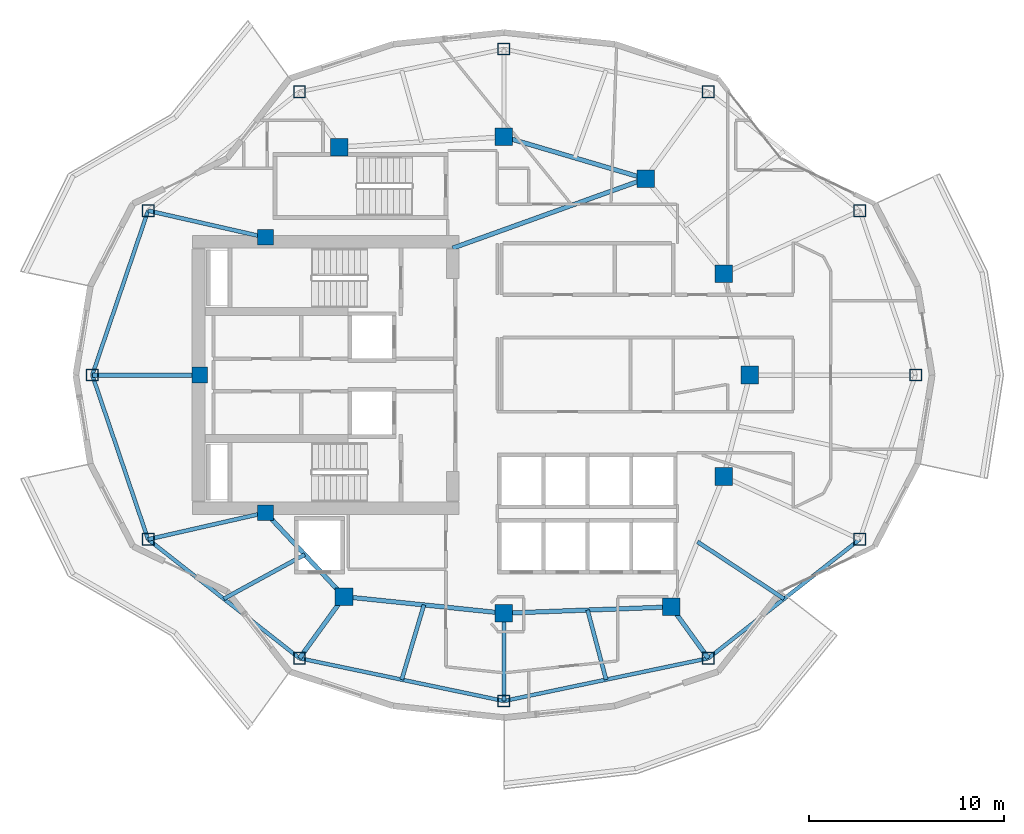
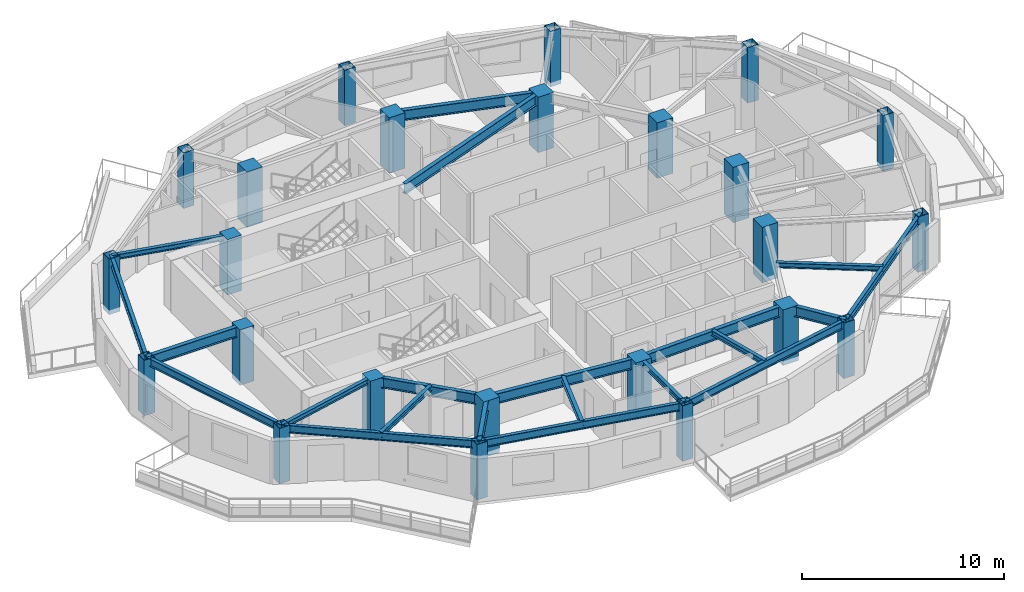
# One storey, part 1 of 13: 24 columns, 21 beams.
"""IFC4 building model written with IfcOpenShell, lengths in metres."""

import ifcopenshell
import ifcopenshell.guid

model = None  # the IFC model being written
_history = None  # IfcOwnerHistory: only IFC2X3 demands one
_inside = {}  # id of a spatial element -> (the spatial element, [elements in it])
_under = {}  # id of a project, library or spatial element -> (it, [spatial elements below it])
_declared = {}  # id of a project -> (the project, [libraries it declares])
_typed = {}  # id of a type object -> (the type object, [elements of that type])
_made_of = {}  # id of a material, layer set ... -> (it, [elements and type objects made of it])


def new_model(schema):
    """Start an empty IFC model of exactly this schema.

    Asked for "IFC4X3", IfcOpenShell would pick the latest addendum, in which some entities
    have other attributes; the version numbers below select the first issue.
    IFC2X3 requires an IfcOwnerHistory on every rooted entity: one is made here for all.
    """
    global model, _history
    if schema == "IFC4X3":
        model = ifcopenshell.file(schema_version=(4, 3, 0, 0))
    else:
        model = ifcopenshell.file(schema=schema)
    _inside.clear()
    _under.clear()
    _declared.clear()
    _typed.clear()
    _made_of.clear()
    _history = None
    if model.schema == "IFC2X3":
        org = make("IfcOrganization", Name="unknown")
        user = make(
            "IfcPersonAndOrganization",
            ThePerson=make("IfcPerson", FamilyName="unknown"),
            TheOrganization=org,
        )
        app = make(
            "IfcApplication",
            ApplicationDeveloper=org,
            Version="unknown",
            ApplicationFullName="unknown",
            ApplicationIdentifier="unknown",
        )
        _history = make(
            "IfcOwnerHistory",
            OwningUser=user,
            OwningApplication=app,
            ChangeAction="ADDED",
            CreationDate=0,
        )
    return model


def make(cls, **values):
    """One entity of the class cls with the attributes given. An attribute that is None is left unset."""
    return model.create_entity(
        cls, **{name: value for name, value in values.items() if value is not None}
    )


def rooted(cls, **values):
    """An entity with a GlobalId (a new one), such as an element, a storey or a relation."""
    return make(cls, GlobalId=ifcopenshell.guid.new(), OwnerHistory=_history, **values)


def si_unit(unit_type, name, prefix=None):
    """IfcSIUnit, for example si_unit("LENGTHUNIT", "METRE", prefix="MILLI")."""
    return make("IfcSIUnit", UnitType=unit_type, Prefix=prefix, Name=name)


def assignment(units):
    """IfcUnitAssignment: the units of a project."""
    return None if units is None else make("IfcUnitAssignment", Units=units)


def point(xyz):
    """IfcCartesianPoint."""
    return None if xyz is None else make("IfcCartesianPoint", Coordinates=xyz)


def direction(xyz):
    """IfcDirection."""
    return None if xyz is None else make("IfcDirection", DirectionRatios=xyz)


def frame(location, z_axis=None, x_axis=None):
    """IfcAxis2Placement3D, a coordinate frame: its origin and axes. An axis left out is left unset."""
    return make(
        "IfcAxis2Placement3D",
        Location=point(location),
        Axis=direction(z_axis),
        RefDirection=direction(x_axis),
    )


def frame_2d(location, x_axis=None):
    """IfcAxis2Placement2D, a coordinate frame in the plane: its origin and x axis."""
    return make(
        "IfcAxis2Placement2D", Location=point(location), RefDirection=direction(x_axis)
    )


def origin():
    """The frame at (0, 0, 0) with its axes left unset."""
    return frame((0.0, 0.0, 0.0))


def origin_2d():
    """The frame at (0, 0) in the plane with its x axis left unset."""
    return frame_2d((0.0, 0.0))


def place(relative_to, where):
    """IfcLocalPlacement: puts the frame where relative to a parent placement (None: the world)."""
    return make(
        "IfcLocalPlacement", PlacementRelTo=relative_to, RelativePlacement=where
    )


def context(
    kind, dimensions, precision=None, world=None, true_north=None, identifier=None
):
    """IfcGeometricRepresentationContext, for example the 3D "Model" context."""
    return make(
        "IfcGeometricRepresentationContext",
        ContextIdentifier=identifier,
        ContextType=kind,
        CoordinateSpaceDimension=dimensions,
        Precision=precision,
        WorldCoordinateSystem=world,
        TrueNorth=true_north,
    )


def subcontext(parent, identifier, kind, view, scale=None):
    """IfcGeometricRepresentationSubContext, for example "Body" below "Model"."""
    return make(
        "IfcGeometricRepresentationSubContext",
        ContextIdentifier=identifier,
        ContextType=kind,
        ParentContext=parent,
        TargetScale=scale,
        TargetView=view,
    )


def project(units=None, contexts=None):
    """IfcProject with its units and contexts."""
    return rooted(
        "IfcProject",
        Name="project",
        RepresentationContexts=contexts,
        UnitsInContext=assignment(units),
    )


def spatial(cls, under=None, at=None, **own):
    """A site, building, storey or space (cls), placed at a placement, below another one or the project."""
    s = rooted(cls, ObjectPlacement=at, **own)
    if under is not None:
        _under.setdefault(under.id(), (under, []))[1].append(s)
    return s


def profile(cls, at=None, kind="AREA", **sizes):
    """A parametric profile (cls). Its sizes go by their IFC names, for example OverallWidth=200.0."""
    return make(cls, ProfileType=kind, Position=at, **sizes)


def rectangle(**sizes):
    """IfcRectangleProfileDef."""
    return profile("IfcRectangleProfileDef", **sizes)


def hollow_rectangle(**sizes):
    """IfcRectangleHollowProfileDef."""
    return profile("IfcRectangleHollowProfileDef", **sizes)


def i_section(**sizes):
    """IfcIShapeProfileDef."""
    return profile("IfcIShapeProfileDef", **sizes)


def extrude(swept, where, along, depth):
    """IfcExtrudedAreaSolid: the profile swept, set in the frame where, extruded along a direction by depth."""
    return make(
        "IfcExtrudedAreaSolid",
        SweptArea=swept,
        Position=where,
        ExtrudedDirection=direction(along),
        Depth=depth,
    )


def shape(context_of_items, identifier, shape_type, items):
    """IfcShapeRepresentation: the items that make up one representation, for example the "Body"."""
    return make(
        "IfcShapeRepresentation",
        ContextOfItems=context_of_items,
        RepresentationIdentifier=identifier,
        RepresentationType=shape_type,
        Items=items,
    )


def material(Name=None, Category=None):
    """IfcMaterial."""
    return make("IfcMaterial", Name=Name, Category=Category)


def material_profile(
    of_material, cross_section, Name=None, Category=None, Priority=None
):
    """IfcMaterialProfile: a cross section and its material."""
    return make(
        "IfcMaterialProfile",
        Name=Name,
        Material=of_material,
        Profile=cross_section,
        Priority=Priority,
        Category=Category,
    )


def profile_set(profiles, Name=None, composite=None):
    """IfcMaterialProfileSet."""
    return make(
        "IfcMaterialProfileSet",
        Name=Name,
        MaterialProfiles=profiles,
        CompositeProfile=composite,
    )


def made_of(thing, what):
    """Note that an element or type object is made of a material, layer set ...; save() writes the relation."""
    if what is not None:
        _made_of.setdefault(what.id(), (what, []))[1].append(thing)
    return thing


def type_object(cls, material=None, **own):
    """A type object (cls), such as IfcWallType, which elements share."""
    return made_of(rooted(cls, **own), material)


def element(
    cls,
    number,
    at=None,
    inside=None,
    cuts=None,
    type_object=None,
    material=None,
    context=None,
    identifier="Body",
    shape_type=None,
    held_by="IfcProductDefinitionShape",
    body=None,
    shapes=None,
    **own,
):
    """One element of the class cls, such as IfcWall. Its Tag is "e" and its number.

    at: its placement. inside: the storey or other place that contains it. cuts: it is an
    opening in that element (IfcRelVoidsElement). A single representation is given by context,
    identifier, shape_type and body (its items); several are given by shapes. held_by: the class
    of the entity that holds the representations. save() writes the other relations.
    """
    e = rooted(cls, Tag="e%d" % number, ObjectPlacement=at, **own)
    if body is not None:
        shapes = [shape(context, identifier, shape_type, body)]
    if shapes is not None:
        e.Representation = make(held_by, Representations=shapes)
    if inside is not None:
        _inside.setdefault(inside.id(), (inside, []))[1].append(e)
    if cuts is not None:
        rooted(
            "IfcRelVoidsElement", RelatingBuildingElement=cuts, RelatedOpeningElement=e
        )
    if type_object is not None:
        _typed.setdefault(type_object.id(), (type_object, []))[1].append(e)
    return made_of(e, material)


def aggregate(whole, parts):
    """IfcRelAggregates: a whole, such as a stair, and the parts it consists of."""
    return rooted("IfcRelAggregates", RelatingObject=whole, RelatedObjects=parts)


def save(model, path):
    """Write the relations noted so far, then the file.

    IfcRelAggregates (storeys below a building ...), IfcRelContainedInSpatialStructure (elements
    in a storey), IfcRelDefinesByType, IfcRelAssociatesMaterial and IfcRelDeclares: one each for
    every whole, place, type object, material and project.
    """
    for whole, parts in _under.values():
        aggregate(whole, parts)
    for where, things in _inside.values():
        rooted(
            "IfcRelContainedInSpatialStructure",
            RelatedElements=things,
            RelatingStructure=where,
        )
    for kind, things in _typed.values():
        rooted("IfcRelDefinesByType", RelatedObjects=things, RelatingType=kind)
    for what, things in _made_of.values():
        rooted("IfcRelAssociatesMaterial", RelatedObjects=things, RelatingMaterial=what)
    for by, libraries in _declared.values():
        rooted("IfcRelDeclares", RelatingContext=by, RelatedDefinitions=libraries)
    model.write(path)


model = new_model("IFC4")

# Units and contexts
model_context = context("Model", 3, precision=1e-05, world=origin(), true_north=direction((0.0, 1.0)))
body_context = subcontext(model_context, "Body", "Model", "MODEL_VIEW")
ifc_project = project(units=[si_unit("LENGTHUNIT", "METRE"), si_unit("AREAUNIT", "SQUARE_METRE"), si_unit("VOLUMEUNIT", "CUBIC_METRE"), si_unit("PLANEANGLEUNIT", "RADIAN"), si_unit("MASSUNIT", "GRAM", prefix="KILO")], contexts=[model_context])

# Site, building, storey
site_placement = place(None, origin())
site = spatial("IfcSite", under=ifc_project, at=site_placement, CompositionType="ELEMENT")
building_placement = place(site_placement, origin())
building = spatial("IfcBuilding", under=site, at=building_placement, Name="Kolvaren Gate Tower and Convention Centre", CompositionType="ELEMENT")
storey_placement = place(building_placement, frame((0.0, 0.0, 183.5)))
storey = spatial("IfcBuildingStorey", under=building, at=storey_placement, Name="L48", CompositionType="ELEMENT", Elevation=183.5)

# Columns
ifc_material_1 = material(Name="Structural steel ASTM A1085 Grade A 345 MPa", Category="steel")
ifc_material_profile_1 = material_profile(ifc_material_1, hollow_rectangle(XDim=0.610107421875, YDim=0.610107421875, WallThickness=0.025390625, at=origin_2d()), Name="HSS610X610X25.4")
ifc_profile_set_1 = profile_set([ifc_material_profile_1], Name="Structural steel ASTM A1085 Grade A 345 MPa")
column_type_1 = type_object("IfcColumnType", Name="STR-COL-HSS610", PredefinedType="COLUMN", material=ifc_profile_set_1)
for number, where, z_axis, x_axis, name in (
    (1, (51.21240234375, 27.0, -0.27001953125), (0.0, 0.0, 1.0), (1.0, 0.0, 0.0), "Tower L48 Perimeter Supercolumn TP-01"),
    (2, (48.351806640625, 35.418701171875, -0.27001953125), (0.0, 0.0, 1.0), (1.0, 0.0, 0.0), "Tower L48 Perimeter Supercolumn TP-02"),
    (3, (40.596435546875, 41.509521484375, -0.27001953125), (0.0, 0.0, 1.0), (1.0, 0.0, 0.0), "Tower L48 Perimeter Supercolumn TP-03"),
    (4, (30.125, 43.699951171875, -0.27001953125), (0.0, 0.0, 1.0), (1.0, 0.0, 0.0), "Tower L48 Perimeter Supercolumn TP-04"),
    (5, (19.65380859375, 41.509521484375, -0.27001953125), (0.0, 0.0, 1.0), (1.0, 0.0, 0.0), "Tower L48 Perimeter Supercolumn TP-05"),
    (6, (11.898193359375, 35.418701171875, -0.27001953125), (0.0, 0.0, 1.0), (1.0, 0.0, 0.0), "Tower L48 Perimeter Supercolumn TP-06"),
    (7, (9.03759765625, 27.0, -0.27001953125), (0.0, 0.0, 1.0), (1.0, 0.0, 0.0), "Tower L48 Perimeter Supercolumn TP-07"),
    (8, (11.898193359375, 18.581298828125, -0.27001953125), (0.0, 0.0, 1.0), (1.0, 0.0, 0.0), "Tower L48 Perimeter Supercolumn TP-08"),
    (9, (19.653564453125, 12.490478515625, -0.27001953125), (0.0, 0.0, 1.0), (1.0, 0.0, 0.0), "Tower L48 Perimeter Supercolumn TP-09"),
    (10, (30.125, 10.300048828125, -0.27001953125), (0.0, 0.0, 1.0), (1.0, 0.0, 0.0), "Tower L48 Perimeter Supercolumn TP-10"),
    (11, (40.596435546875, 12.490478515625, -0.27001953125), (0.0, 0.0, 1.0), (1.0, 0.0, 0.0), "Tower L48 Perimeter Supercolumn TP-11"),
    (12, (48.351806640625, 18.581298828125, -0.27001953125), (0.0, 0.0, 1.0), (1.0, 0.0, 0.0), "Tower L48 Perimeter Supercolumn TP-12"),
):
    element("IfcColumn", number, at=place(storey_placement, frame(where, z_axis=z_axis, x_axis=x_axis)), inside=storey, type_object=column_type_1, Name=name, PredefinedType="COLUMN", context=body_context, shape_type="SweptSolid", body=[
        extrude(hollow_rectangle(XDim=0.610107421875, YDim=0.610107421875, WallThickness=0.025390625, at=origin_2d()), origin(), (0.0, 0.0, 1.0), 3.35009765625),
    ])
ifc_material_2 = material(Name="Concrete C60/75", Category="concrete")
ifc_material_profile_2 = material_profile(ifc_material_2, rectangle(XDim=0.89990234375, YDim=0.89990234375, at=origin_2d()), Name="RC-COL-900X900")
ifc_profile_set_2 = profile_set([ifc_material_profile_2], Name="Concrete C60/75")
column_type_2 = type_object("IfcColumnType", Name="STR-COL-RC900", PredefinedType="COLUMN", material=ifc_profile_set_2)
for number, where, z_axis, x_axis, name in (
    (13, (42.72509765625, 27.0, -0.27001953125), (0.0, 0.0, 1.0), (1.0, 0.0, 0.0), "Tower L48 Interior Column TI-01"),
    (14, (41.382080078125, 32.199462890625, -0.27001953125), (0.0, 0.0, 1.0), (1.0, 0.0, 0.0), "Tower L48 Interior Column TI-02"),
    (15, (37.381591796875, 37.054931640625, -0.27001953125), (0.0, 0.0, 1.0), (1.0, 0.0, 0.0), "Tower L48 Interior Column TI-03"),
    (16, (30.125, 39.199951171875, -0.27001953125), (0.0, 0.0, 1.0), (1.0, 0.0, 0.0), "Tower L48 Interior Column TI-04"),
    (17, (21.697998046875, 38.6767578125, -0.27001953125), (0.0, 0.0, 1.0), (1.0, 0.0, 0.0), "Tower L48 Interior Column TI-05"),
    (18, (21.93212890625, 15.647705078125, -0.27001953125), (0.0, 0.0, 1.0), (1.0, 0.0, 0.0), "Tower L48 Interior Column TI-06"),
    (19, (30.125, 14.800048828125, -0.27001953125), (0.0, 0.0, 1.0), (1.0, 0.0, 0.0), "Tower L48 Interior Column TI-07"),
    (20, (38.6982421875, 15.12060546875, -0.27001953125), (0.0, 0.0, 1.0), (1.0, 0.0, 0.0), "Tower L48 Interior Column TI-08"),
    (21, (41.382080078125, 21.800537109375, -0.27001953125), (0.0, 0.0, 1.0), (1.0, 0.0, 0.0), "Tower L48 Interior Column TI-09"),
):
    element("IfcColumn", number, at=place(storey_placement, frame(where, z_axis=z_axis, x_axis=x_axis)), inside=storey, type_object=column_type_2, Name=name, PredefinedType="COLUMN", context=body_context, shape_type="SweptSolid", body=[
        extrude(rectangle(XDim=0.89990234375, YDim=0.89990234375, at=origin_2d()), origin(), (0.0, 0.0, 1.0), 3.35009765625),
    ])
ifc_material_profile_3 = material_profile(ifc_material_2, rectangle(XDim=0.800048828125, YDim=0.800048828125, at=origin_2d()), Name="RC-COL-800X800")
ifc_profile_set_3 = profile_set([ifc_material_profile_3], Name="Concrete C60/75")
column_type_3 = type_object("IfcColumnType", Name="STR-PIL-RC800", PredefinedType="PILASTER", material=ifc_profile_set_3)
for number, where, z_axis, x_axis, name in (
    (22, (17.9140625, 34.050048828125, -0.27001953125), (0.0, 0.0, 1.0), (1.0, 0.0, 0.0), "Tower L48 Core Boundary Pilaster TC-05"),
    (23, (14.550048828125, 27.0, -0.27001953125), (0.0, 0.0, 1.0), (1.0, 0.0, 0.0), "Tower L48 Core Boundary Pilaster TC-06"),
    (24, (17.9140625, 19.949951171875, -0.27001953125), (0.0, 0.0, 1.0), (1.0, 0.0, 0.0), "Tower L48 Core Boundary Pilaster TC-07"),
):
    element("IfcColumn", number, at=place(storey_placement, frame(where, z_axis=z_axis, x_axis=x_axis)), inside=storey, type_object=column_type_3, Name=name, PredefinedType="PILASTER", context=body_context, shape_type="SweptSolid", body=[
        extrude(rectangle(XDim=0.800048828125, YDim=0.800048828125, at=origin_2d()), origin(), (0.0, 0.0, 1.0), 3.35009765625),
    ])

# Beams
ifc_material_3 = material(Name="Structural steel ASTM A992 Grade 345 MPa", Category="steel")
ifc_material_profile_4 = material_profile(ifc_material_3, i_section(OverallWidth=0.22998046875, OverallDepth=0.616943359375, WebThickness=0.01318359375, FlangeThickness=0.022216796875, at=origin_2d()), Name="W610X140")
ifc_profile_set_4 = profile_set([ifc_material_profile_4], Name="Structural steel ASTM A992 Grade 345 MPa")
beam_type_1 = type_object("IfcBeamType", Name="STR-BM-W610X140", PredefinedType="BEAM", material=ifc_profile_set_4)
beam_1_placement = place(storey_placement, frame((37.381591796875, 37.054931640625, 2.771484375), z_axis=(-0.958980837827, 0.283470902706, 0.0), x_axis=(-0.283470902706, -0.958980837827, 0.0)))
element("IfcBeam", 25, at=beam_1_placement, inside=storey, type_object=beam_type_1, Name="Tower L48 Primary Ring Girder G-03", PredefinedType="BEAM", context=body_context, shape_type="SweptSolid", body=[
    extrude(i_section(OverallWidth=0.22998046875, OverallDepth=0.616943359375, WebThickness=0.01318359375, FlangeThickness=0.022216796875, at=origin_2d()), origin(), (0.0, 0.0, 1.0), 7.56689453125),
])
beam_2_placement = place(storey_placement, frame((17.9140625, 19.949951171875, 2.771484375), z_axis=(0.682557592987, -0.730831808459, 0.0), x_axis=(0.730831808459, 0.682557592987, 0.0)))
element("IfcBeam", 26, at=beam_2_placement, inside=storey, type_object=beam_type_1, Name="Tower L48 Primary Ring Girder G-06", PredefinedType="BEAM", context=body_context, shape_type="SweptSolid", body=[
    extrude(i_section(OverallWidth=0.22998046875, OverallDepth=0.616943359375, WebThickness=0.01318359375, FlangeThickness=0.022216796875, at=origin_2d()), origin(), (0.0, 0.0, 1.0), 5.88671875),
])
beam_3_placement = place(storey_placement, frame((21.93212890625, 15.647705078125, 2.771484375), z_axis=(0.994690329115, -0.102913308978, 0.0), x_axis=(0.102913308978, 0.994690329115, 0.0)))
element("IfcBeam", 27, at=beam_3_placement, inside=storey, type_object=beam_type_1, Name="Tower L48 Primary Ring Girder G-07", PredefinedType="BEAM", context=body_context, shape_type="SweptSolid", body=[
    extrude(i_section(OverallWidth=0.22998046875, OverallDepth=0.616943359375, WebThickness=0.01318359375, FlangeThickness=0.022216796875, at=origin_2d()), origin(), (0.0, 0.0, 1.0), 8.236572265625),
])
beam_4_placement = place(storey_placement, frame((30.125, 14.800048828125, 2.771484375), z_axis=(0.999301712453, 0.037364254142, 0.0), x_axis=(-0.037364254142, 0.999301712453, 0.0)))
element("IfcBeam", 28, at=beam_4_placement, inside=storey, type_object=beam_type_1, Name="Tower L48 Primary Ring Girder G-08", PredefinedType="BEAM", context=body_context, shape_type="SweptSolid", body=[
    extrude(i_section(OverallWidth=0.22998046875, OverallDepth=0.616943359375, WebThickness=0.01318359375, FlangeThickness=0.022216796875, at=origin_2d()), origin(), (0.0, 0.0, 1.0), 8.579345703125),
])
beam_5_placement = place(storey_placement, frame((27.5, 33.5, 2.771484375), z_axis=(0.940961479908, 0.338513653093, 0.0), x_axis=(-0.338513653093, 0.940961479908, 0.0)))
element("IfcBeam", 29, at=beam_5_placement, inside=storey, type_object=beam_type_1, Name="Tower L48 Primary Ring Girder G-10", PredefinedType="BEAM", context=body_context, shape_type="SweptSolid", body=[
    extrude(i_section(OverallWidth=0.22998046875, OverallDepth=0.616943359375, WebThickness=0.01318359375, FlangeThickness=0.022216796875, at=origin_2d()), origin(), (0.0, 0.0, 1.0), 10.501708984375),
])
beam_6_placement = place(storey_placement, frame((14.550048828125, 27.0, 2.771484375), z_axis=(-1.0, 0.0, 0.0), x_axis=(0.0, -1.0, 0.0)))
element("IfcBeam", 30, at=beam_6_placement, inside=storey, type_object=beam_type_1, Name="Tower L48 Radial Floor Girder RB-07", PredefinedType="BEAM", context=body_context, shape_type="SweptSolid", body=[
    extrude(i_section(OverallWidth=0.22998046875, OverallDepth=0.616943359375, WebThickness=0.01318359375, FlangeThickness=0.022216796875, at=origin_2d()), origin(), (0.0, 0.0, 1.0), 5.512451171875),
])
beam_7_placement = place(storey_placement, frame((21.93212890625, 15.647705078125, 2.771484375), z_axis=(-0.585211215329, -0.810880899672, 0.0), x_axis=(0.810880899672, -0.585211215329, 0.0)))
element("IfcBeam", 31, at=beam_7_placement, inside=storey, type_object=beam_type_1, Name="Tower L48 Radial Floor Girder RB-09", PredefinedType="BEAM", context=body_context, shape_type="SweptSolid", body=[
    extrude(i_section(OverallWidth=0.22998046875, OverallDepth=0.616943359375, WebThickness=0.01318359375, FlangeThickness=0.022216796875, at=origin_2d()), origin(), (0.0, 0.0, 1.0), 3.8935546875),
])
beam_8_placement = place(storey_placement, frame((38.6982421875, 15.12060546875, 2.771484375), z_axis=(0.58521845229, -0.810875676722, 0.0), x_axis=(0.810875676722, 0.58521845229, 0.0)))
element("IfcBeam", 32, at=beam_8_placement, inside=storey, type_object=beam_type_1, Name="Tower L48 Radial Floor Girder RB-11", PredefinedType="BEAM", context=body_context, shape_type="SweptSolid", body=[
    extrude(i_section(OverallWidth=0.22998046875, OverallDepth=0.616943359375, WebThickness=0.01318359375, FlangeThickness=0.022216796875, at=origin_2d()), origin(), (0.0, 0.0, 1.0), 3.24365234375),
])
ifc_material_profile_5 = material_profile(ifc_material_3, i_section(OverallWidth=0.205078125, OverallDepth=0.31005859375, WebThickness=0.009521484375, FlangeThickness=0.016357421875, at=origin_2d()), Name="W310X74")
ifc_profile_set_5 = profile_set([ifc_material_profile_5], Name="Structural steel ASTM A992 Grade 345 MPa")
beam_type_2 = type_object("IfcBeamType", Name="STR-JS-W310X74", PredefinedType="JOIST", material=ifc_profile_set_5)
for number, where, z_axis, x_axis, name in (
    (33, (17.9140625, 34.050048828125, 2.925048828125), (-0.975083464295, 0.221838314226, 0.0), (-0.221838314226, -0.975083464295, 0.0), "Tower L48 Radial Floor Girder RB-06"),
    (34, (17.9140625, 19.949951171875, 2.925048828125), (-0.975083464295, -0.221838314226, 0.0), (0.221838314226, -0.975083464295, 0.0), "Tower L48 Radial Floor Girder RB-08"),
):
    element("IfcBeam", number, at=place(storey_placement, frame(where, z_axis=z_axis, x_axis=x_axis)), inside=storey, type_object=beam_type_2, Name=name, PredefinedType="JOIST", context=body_context, shape_type="SweptSolid", body=[
        extrude(i_section(OverallWidth=0.205078125, OverallDepth=0.31005859375, WebThickness=0.009521484375, FlangeThickness=0.016357421875, at=origin_2d()), origin(), (0.0, 0.0, 1.0), 6.169677734375),
    ])
beam_9_placement = place(storey_placement, frame((30.125, 14.800048828125, 2.925048828125), z_axis=(0.0, -1.0, 0.0), x_axis=(1.0, 0.0, 0.0)))
element("IfcBeam", 35, at=beam_9_placement, inside=storey, type_object=beam_type_2, Name="Tower L48 Radial Floor Girder RB-10", PredefinedType="JOIST", context=body_context, shape_type="SweptSolid", body=[
    extrude(i_section(OverallWidth=0.205078125, OverallDepth=0.31005859375, WebThickness=0.009521484375, FlangeThickness=0.016357421875, at=origin_2d()), origin(), (0.0, 0.0, 1.0), 4.5),
])
beam_10_placement = place(storey_placement, frame((19.923095703125, 17.798828125, 2.925048828125), z_axis=(-0.877822491981, -0.478986088078, 0.0), x_axis=(0.478986088078, -0.877822491981, 0.0)))
element("IfcBeam", 36, at=beam_10_placement, inside=storey, type_object=beam_type_2, Name="Tower L48 Secondary Composite Floor Joist J-08.1", PredefinedType="JOIST", context=body_context, shape_type="SweptSolid", body=[
    extrude(i_section(OverallWidth=0.205078125, OverallDepth=0.31005859375, WebThickness=0.009521484375, FlangeThickness=0.016357421875, at=origin_2d()), origin(), (0.0, 0.0, 1.0), 4.724365234375),
])
beam_11_placement = place(storey_placement, frame((26.028564453125, 15.223876953125, 2.925048828125), z_axis=(-0.28518274301, -0.958473162425, 0.0), x_axis=(0.958473162425, -0.28518274301, 0.0)))
element("IfcBeam", 37, at=beam_11_placement, inside=storey, type_object=beam_type_2, Name="Tower L48 Secondary Composite Floor Joist J-09.1", PredefinedType="JOIST", context=body_context, shape_type="SweptSolid", body=[
    extrude(i_section(OverallWidth=0.205078125, OverallDepth=0.31005859375, WebThickness=0.009521484375, FlangeThickness=0.016357421875, at=origin_2d()), origin(), (0.0, 0.0, 1.0), 3.994384765625),
])
beam_12_placement = place(storey_placement, frame((34.41162109375, 14.960205078125, 2.925048828125), z_axis=(0.257238365181, -0.966347982602, 0.0), x_axis=(0.966347982602, 0.257238365181, 0.0)))
element("IfcBeam", 38, at=beam_12_placement, inside=storey, type_object=beam_type_2, Name="Tower L48 Secondary Composite Floor Joist J-10.1", PredefinedType="JOIST", context=body_context, shape_type="SweptSolid", body=[
    extrude(i_section(OverallWidth=0.205078125, OverallDepth=0.31005859375, WebThickness=0.009521484375, FlangeThickness=0.016357421875, at=origin_2d()), origin(), (0.0, 0.0, 1.0), 3.68896484375),
])
beam_13_placement = place(storey_placement, frame((40.040283203125, 18.46044921875, 2.925048828125), z_axis=(0.834762790112, -0.550609738602, 0.0), x_axis=(0.550609738602, 0.834762790112, 0.0)))
element("IfcBeam", 39, at=beam_13_placement, inside=storey, type_object=beam_type_2, Name="Tower L48 Secondary Composite Floor Joist J-11.1", PredefinedType="JOIST", context=body_context, shape_type="SweptSolid", body=[
    extrude(i_section(OverallWidth=0.205078125, OverallDepth=0.31005859375, WebThickness=0.009521484375, FlangeThickness=0.016357421875, at=origin_2d()), origin(), (0.0, 0.0, 1.0), 5.3115234375),
])
ifc_material_profile_6 = material_profile(ifc_material_3, i_section(OverallWidth=0.194091796875, OverallDepth=0.468994140625, WebThickness=0.0126953125, FlangeThickness=0.0205078125, at=origin_2d()), Name="W460X106")
ifc_profile_set_6 = profile_set([ifc_material_profile_6], Name="Structural steel ASTM A992 Grade 345 MPa")
beam_type_3 = type_object("IfcBeamType", Name="STR-SP-W460X106", PredefinedType="SPANDREL", material=ifc_profile_set_6)
for number, where, z_axis, x_axis, name in (
    (40, (11.898193359375, 35.418701171875, 2.845458984375), (-0.321725023609, -0.946833147489, 0.0), (0.946833147489, -0.321725023609, 0.0), "Tower L48 Perimeter Spandrel Beam SP-06"),
    (41, (9.03759765625, 27.0, 2.845458984375), (0.321725023609, -0.946833147489, 0.0), (0.946833147489, 0.321725023609, 0.0), "Tower L48 Perimeter Spandrel Beam SP-07"),
):
    element("IfcBeam", number, at=place(storey_placement, frame(where, z_axis=z_axis, x_axis=x_axis)), inside=storey, type_object=beam_type_3, Name=name, PredefinedType="SPANDREL", context=body_context, shape_type="SweptSolid", body=[
        extrude(i_section(OverallWidth=0.194091796875, OverallDepth=0.468994140625, WebThickness=0.0126953125, FlangeThickness=0.0205078125, at=origin_2d()), origin(), (0.0, 0.0, 1.0), 8.891357421875),
    ])
beam_14_placement = place(storey_placement, frame((11.898193359375, 18.581298828125, 2.845458984375), z_axis=(0.786450621777, -0.617653154697, 0.0), x_axis=(0.617653154697, 0.786450621777, 0.0)))
element("IfcBeam", 42, at=beam_14_placement, inside=storey, type_object=beam_type_3, Name="Tower L48 Perimeter Spandrel Beam SP-08", PredefinedType="SPANDREL", context=body_context, shape_type="SweptSolid", body=[
    extrude(i_section(OverallWidth=0.194091796875, OverallDepth=0.468994140625, WebThickness=0.0126953125, FlangeThickness=0.0205078125, at=origin_2d()), origin(), (0.0, 0.0, 1.0), 9.861328125),
])
for number, where, z_axis, x_axis, name in (
    (43, (19.653564453125, 12.490478515625, 2.845458984375), (0.978814350133, -0.204749769168, 0.0), (0.204749769168, 0.978814350133, 0.0), "Tower L48 Perimeter Spandrel Beam SP-09"),
    (44, (30.125, 10.300048828125, 2.845458984375), (0.978814350133, 0.204749769168, 0.0), (-0.204749769168, 0.978814350133, 0.0), "Tower L48 Perimeter Spandrel Beam SP-10"),
):
    element("IfcBeam", number, at=place(storey_placement, frame(where, z_axis=z_axis, x_axis=x_axis)), inside=storey, type_object=beam_type_3, Name=name, PredefinedType="SPANDREL", context=body_context, shape_type="SweptSolid", body=[
        extrude(i_section(OverallWidth=0.194091796875, OverallDepth=0.468994140625, WebThickness=0.0126953125, FlangeThickness=0.0205078125, at=origin_2d()), origin(), (0.0, 0.0, 1.0), 10.697998046875),
    ])
beam_15_placement = place(storey_placement, frame((40.596435546875, 12.490478515625, 2.845458984375), z_axis=(0.786450621777, 0.617653154697, 0.0), x_axis=(-0.617653154697, 0.786450621777, 0.0)))
element("IfcBeam", 45, at=beam_15_placement, inside=storey, type_object=beam_type_3, Name="Tower L48 Perimeter Spandrel Beam SP-11", PredefinedType="SPANDREL", context=body_context, shape_type="SweptSolid", body=[
    extrude(i_section(OverallWidth=0.194091796875, OverallDepth=0.468994140625, WebThickness=0.0126953125, FlangeThickness=0.0205078125, at=origin_2d()), origin(), (0.0, 0.0, 1.0), 9.861328125),
])

save(model, "model.ifc")
